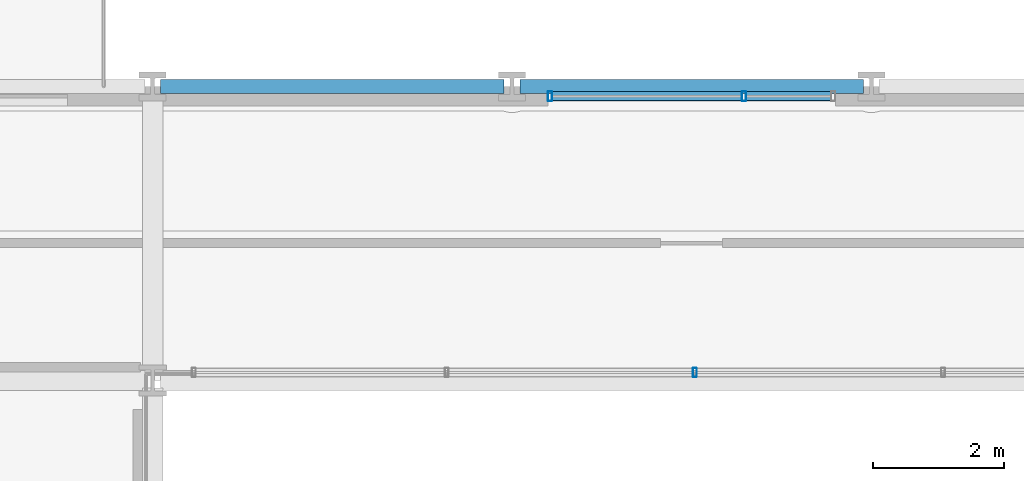
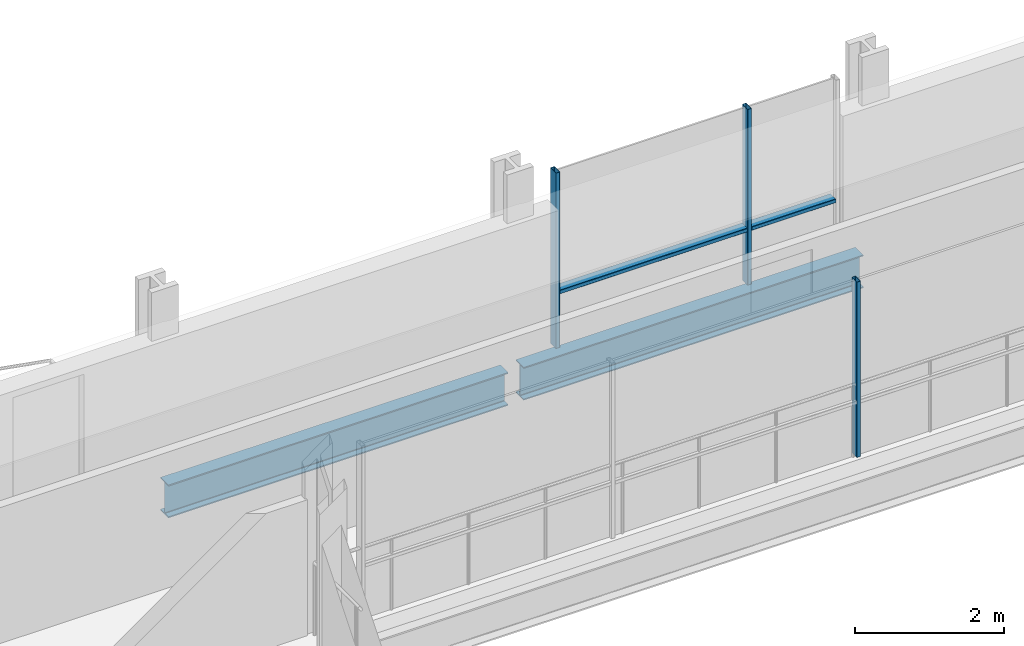
# One storey, part 11 of 38: 5 members, 2 beams, 2 elements without a shape of their own.
"""IFC4 building model written with IfcOpenShell, lengths in metres."""

from ifc_helpers import new_model, si_unit, direction, frame, origin, origin_2d, place, context, subcontext, project, spatial, hollow_rectangle, i_section, extrude, material, layer, layer_set, material_profile, profile_set, type_object, element, aggregate, save


model = new_model("IFC4")

# Units and contexts
model_context = context("Model", 3, precision=1e-05, world=origin(), true_north=direction((0.0, 1.0)))
body_context = subcontext(model_context, "Body", "Model", "MODEL_VIEW")
ifc_project = project(units=[si_unit("LENGTHUNIT", "METRE"), si_unit("AREAUNIT", "SQUARE_METRE"), si_unit("VOLUMEUNIT", "CUBIC_METRE"), si_unit("PLANEANGLEUNIT", "RADIAN"), si_unit("MASSUNIT", "GRAM", prefix="KILO")], contexts=[model_context])

# Site, building, storey
site_placement = place(None, origin())
site = spatial("IfcSite", under=ifc_project, at=site_placement, CompositionType="ELEMENT")
building_placement = place(site_placement, origin())
building = spatial("IfcBuilding", under=site, at=building_placement, Name="Brevholm Reach", CompositionType="ELEMENT")
storey_placement = place(building_placement, frame((0.0, 0.0, 59.0)))
storey = spatial("IfcBuildingStorey", under=building, at=storey_placement, Name="L16", CompositionType="ELEMENT", Elevation=59.0)

# Beams
ifc_material_1 = material(Name="Structural Steel S355J2", Category="steel")
ifc_material_profile_1 = material_profile(ifc_material_1, i_section(OverallWidth=0.210693359375, OverallDepth=0.53955078125, WebThickness=0.01171875, FlangeThickness=0.018798828125, FilletRadius=0.0126953125, at=origin_2d()), Name="UKB 533x210x109")
ifc_profile_set_1 = profile_set([ifc_material_profile_1], Name="Structural Steel S355J2")
beam_type = type_object("IfcBeamType", Name="BM-SP539", PredefinedType="SPANDREL", material=ifc_profile_set_1)
for number, where, z_axis, x_axis, name in (
    (1, (21.8701171875, 31.0, -0.499755859375), (1.0, 0.0, 0.0), (0.0, 1.0, 0.0), "L16 SP-01B Framing Beam"),
    (2, (27.3701171875, 31.0, -0.499755859375), (1.0, 0.0, 0.0), (0.0, 1.0, 0.0), "L16 SP-01B Framing Beam"),
):
    element("IfcBeam", number, at=place(storey_placement, frame(where, z_axis=z_axis, x_axis=x_axis)), inside=storey, type_object=beam_type, Name=name, PredefinedType="SPANDREL", context=body_context, shape_type="SweptSolid", body=[
        extrude(i_section(OverallWidth=0.210693359375, OverallDepth=0.53955078125, WebThickness=0.01171875, FlangeThickness=0.018798828125, FilletRadius=0.0126953125, at=origin_2d()), origin(), (0.0, 0.0, 1.0), 5.259765625),
    ])

# Curtain wall, member
ifc_material_2 = material(Name="Dark Anodised Aluminium 6063-T6 and Solar-Control Glass", Category="aluminium")
ifc_layer_1 = layer(ifc_material_2, 0.139892578125)
ifc_layer_set_1 = layer_set([ifc_layer_1], Name="Dark Anodised Aluminium 6063-T6 and Solar-Control Glass")
curtain_wall_type_1 = type_object("IfcCurtainWallType", Name="CW-02", PredefinedType="NOTDEFINED", material=ifc_layer_set_1)
curtain_wall_1_placement = place(storey_placement, origin())
curtain_wall_1 = element("IfcCurtainWall", 3, at=curtain_wall_1_placement, inside=storey, type_object=curtain_wall_type_1, Name="L16 Curtain Wall CW-02", PredefinedType="NOTDEFINED")
ifc_material_3 = material(Name="Dark Anodised Aluminium 6063-T6", Category="aluminium")
ifc_material_profile_2 = material_profile(ifc_material_3, hollow_rectangle(XDim=0.06005859375, YDim=0.139892578125, WallThickness=0.0048828125, InnerFilletRadius=0.0048828125, OuterFilletRadius=0.010009765625, at=origin_2d()), Name="RHS 140x60x5")
ifc_profile_set_2 = profile_set([ifc_material_profile_2], Name="Dark Anodised Aluminium 6063-T6")
member_type_1 = type_object("IfcMemberType", Name="CWM-140", PredefinedType="MULLION", material=ifc_profile_set_2)
member_1_placement = place(storey_placement, frame((30.050048828125, 26.6201171875, 0.0), z_axis=(0.0, 0.0, 1.0), x_axis=(-1.0, 0.0, 0.0)))
member_1 = element("IfcMember", 4, at=member_1_placement, type_object=member_type_1, Name="CM-140 Mullion 3", PredefinedType="MULLION", context=body_context, shape_type="SweptSolid", body=[
    extrude(hollow_rectangle(XDim=0.06005859375, YDim=0.139892578125, WallThickness=0.0048828125, InnerFilletRadius=0.0048828125, OuterFilletRadius=0.010009765625, at=origin_2d()), origin(), (0.0, 0.0, 1.0), 2.8701171875),
])
aggregate(curtain_wall_1, [member_1])

# Curtain wall, members
ifc_material_4 = material(Name="Dark Anodised Aluminium 6063-T6 and Solar-Control Glass", Category="aluminium")
ifc_layer_2 = layer(ifc_material_4, 0.14990234375)
ifc_layer_set_2 = layer_set([ifc_layer_2], Name="Dark Anodised Aluminium 6063-T6 and Solar-Control Glass")
curtain_wall_type_2 = type_object("IfcCurtainWallType", Name="CW-01", PredefinedType="NOTDEFINED", material=ifc_layer_set_2)
curtain_wall_2_placement = place(storey_placement, origin())
curtain_wall_2 = element("IfcCurtainWall", 5, at=curtain_wall_2_placement, inside=storey, type_object=curtain_wall_type_2, Name="L16 Curtain Wall CW-01", PredefinedType="NOTDEFINED")
ifc_material_5 = material(Name="Dark Anodised Aluminium 6063-T6", Category="aluminium")
ifc_material_profile_3 = material_profile(ifc_material_5, hollow_rectangle(XDim=0.06494140625, YDim=0.14990234375, WallThickness=0.0048828125, InnerFilletRadius=0.0048828125, OuterFilletRadius=0.010009765625, at=origin_2d()), Name="RHS 150x65x5")
ifc_profile_set_3 = profile_set([ifc_material_profile_3], Name="Dark Anodised Aluminium 6063-T6")
member_type_2 = type_object("IfcMemberType", Name="CWM-150", PredefinedType="MULLION", material=ifc_profile_set_3)
member_2_placement = place(storey_placement, frame((27.83251953125, 30.85009765625, 0.0), z_axis=(0.0, 0.0, 1.0), x_axis=(1.0, 0.0, 0.0)))
member_2 = element("IfcMember", 6, at=member_2_placement, type_object=member_type_2, Name="CM-150 Mullion 1", PredefinedType="MULLION", context=body_context, shape_type="SweptSolid", body=[
    extrude(hollow_rectangle(XDim=0.06494140625, YDim=0.14990234375, WallThickness=0.0048828125, InnerFilletRadius=0.0048828125, OuterFilletRadius=0.010009765625, at=origin_2d()), origin(), (0.0, 0.0, 1.0), 2.8701171875),
])
member_3_placement = place(storey_placement, frame((30.800048828125, 30.85009765625, 0.0), z_axis=(0.0, 0.0, 1.0), x_axis=(1.0, 0.0, 0.0)))
member_3 = element("IfcMember", 7, at=member_3_placement, type_object=member_type_2, Name="CM-150 Mullion 2", PredefinedType="MULLION", context=body_context, shape_type="SweptSolid", body=[
    extrude(hollow_rectangle(XDim=0.06494140625, YDim=0.14990234375, WallThickness=0.0048828125, InnerFilletRadius=0.0048828125, OuterFilletRadius=0.010009765625, at=origin_2d()), origin(), (0.0, 0.0, 1.0), 2.8701171875),
])
ifc_material_6 = material(Name="Dark Anodised Aluminium 6063-T6", Category="aluminium")
ifc_material_profile_4 = material_profile(ifc_material_6, hollow_rectangle(XDim=0.06494140625, YDim=0.14990234375, WallThickness=0.0048828125, InnerFilletRadius=0.0048828125, OuterFilletRadius=0.010009765625, at=origin_2d()), Name="RHS 150x65x5")
ifc_profile_set_4 = profile_set([ifc_material_profile_4], Name="Dark Anodised Aluminium 6063-T6")
member_type_3 = type_object("IfcMemberType", Name="CWT-150", PredefinedType="NOTDEFINED", material=ifc_profile_set_4)
member_4_placement = place(storey_placement, frame((27.864990234375, 30.85009765625, 0.89990234375), z_axis=(1.0, 0.0, 0.0), x_axis=(0.0, 0.0, 1.0)))
member_4 = element("IfcMember", 8, at=member_4_placement, type_object=member_type_3, Name="CT-150 Transom 1.1", ObjectType="TRANSOM", PredefinedType="USERDEFINED", context=body_context, shape_type="SweptSolid", body=[
    extrude(hollow_rectangle(XDim=0.06494140625, YDim=0.14990234375, WallThickness=0.0048828125, InnerFilletRadius=0.0048828125, OuterFilletRadius=0.010009765625, at=origin_2d()), origin(), (0.0, 0.0, 1.0), 2.902587890625),
])
member_5_placement = place(storey_placement, frame((30.83251953125, 30.85009765625, 0.89990234375), z_axis=(1.0, 0.0, 0.0), x_axis=(0.0, 0.0, 1.0)))
member_5 = element("IfcMember", 9, at=member_5_placement, type_object=member_type_3, Name="CT-150 Transom 2.1", ObjectType="TRANSOM", PredefinedType="USERDEFINED", context=body_context, shape_type="SweptSolid", body=[
    extrude(hollow_rectangle(XDim=0.06494140625, YDim=0.14990234375, WallThickness=0.0048828125, InnerFilletRadius=0.0048828125, OuterFilletRadius=0.010009765625, at=origin_2d()), origin(), (0.0, 0.0, 1.0), 1.302490234375),
])
aggregate(curtain_wall_2, [member_2, member_3, member_4, member_5])

save(model, "model.ifc")
